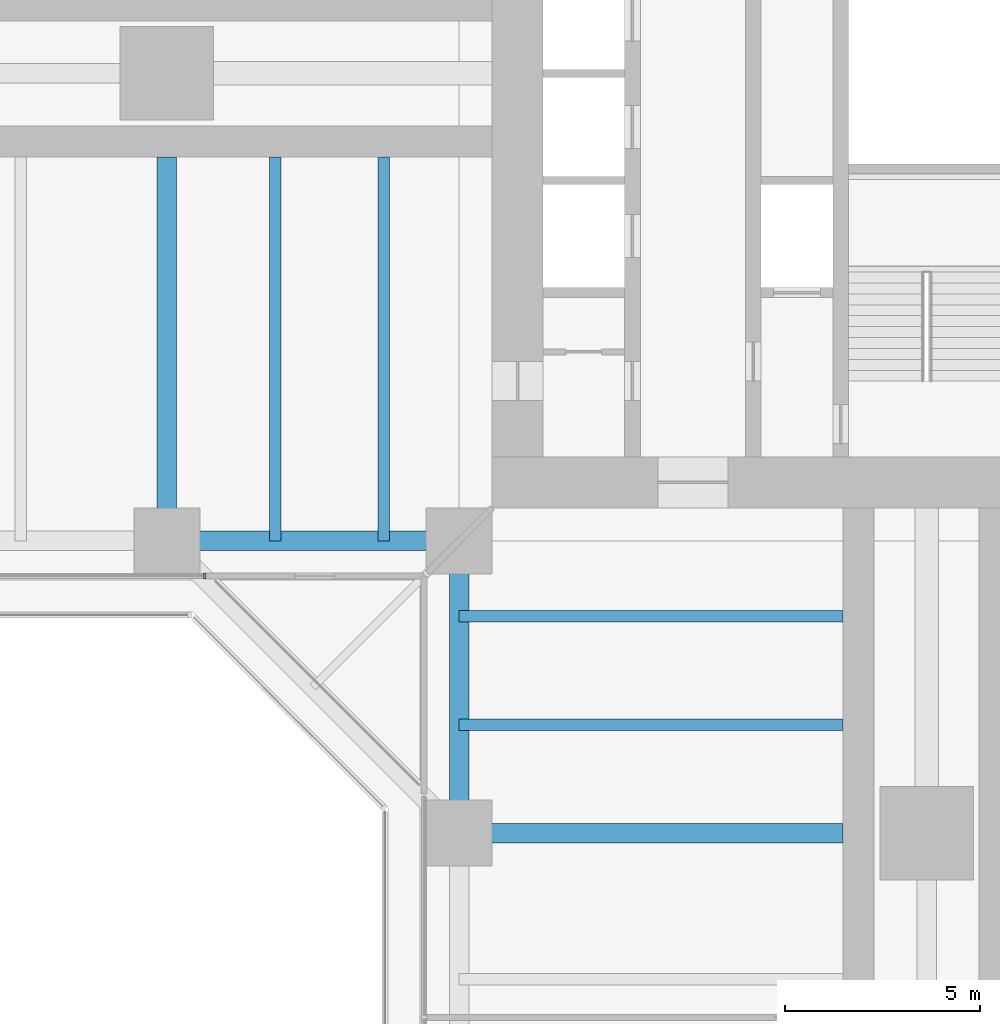
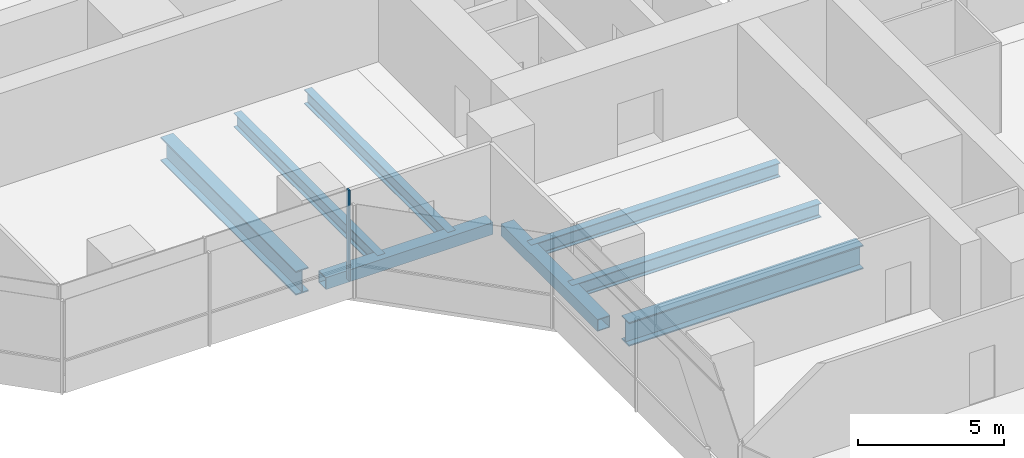
# One storey, part 4 of 22: 8 beams, 1 member, 1 element without a shape of its own.
"""IFC4 building model written with IfcOpenShell, lengths in metres."""

from ifc_helpers import new_model, si_unit, direction, frame, origin, origin_2d, place, context, subcontext, project, spatial, rectangle, hollow_rectangle, i_section, extrude, material, material_profile, profile_set, type_object, element, aggregate, save


model = new_model("IFC4")

# Units and contexts
model_context = context("Model", 3, precision=1e-05, world=origin(), true_north=direction((0.0, 1.0)))
body_context = subcontext(model_context, "Body", "Model", "MODEL_VIEW")
ifc_project = project(units=[si_unit("LENGTHUNIT", "METRE"), si_unit("AREAUNIT", "SQUARE_METRE"), si_unit("VOLUMEUNIT", "CUBIC_METRE"), si_unit("PLANEANGLEUNIT", "RADIAN"), si_unit("MASSUNIT", "GRAM", prefix="KILO")], contexts=[model_context])

# Site, building, storey
site_placement = place(None, origin())
site = spatial("IfcSite", under=ifc_project, at=site_placement, CompositionType="ELEMENT")
building_placement = place(site_placement, origin())
building = spatial("IfcBuilding", under=site, at=building_placement, Name="Mizan Broadcast Tower", CompositionType="ELEMENT")
storey_placement = place(building_placement, frame((0.0, 0.0, 78.60009765625)))
storey = spatial("IfcBuildingStorey", under=building, at=storey_placement, Name="L16", CompositionType="ELEMENT", Elevation=78.60009765625)

# Beams
ifc_material_1 = material(Name="Steel S355", Category="steel")
ifc_material_profile_1 = material_profile(ifc_material_1, hollow_rectangle(XDim=0.5, YDim=0.5, WallThickness=0.030029296875, at=origin_2d()), Name="BOX 500x500x30")
ifc_profile_set_1 = profile_set([ifc_material_profile_1], Name="Steel S355")
beam_type_1 = type_object("IfcBeamType", Name="EDGE BEAM BOX 500x500x30", PredefinedType="SPANDREL", material=ifc_profile_set_1)
for number, where, z_axis, x_axis, name in (
    (1, (-12.449951171875, -12.0, -0.380126953125), (-1.0, 0.0, 0.0), (0.0, -1.0, 0.0), "Edge beam BOX 500x500x30 L16 west arm"),
    (2, (-12.0, -12.449951171875, -0.380126953125), (0.0, -1.0, 0.0), (1.0, 0.0, 0.0), "Edge beam BOX 500x500x30 L16 south arm"),
):
    element("IfcBeam", number, at=place(storey_placement, frame(where, z_axis=z_axis, x_axis=x_axis)), inside=storey, type_object=beam_type_1, Name=name, PredefinedType="SPANDREL", context=body_context, shape_type="SweptSolid", body=[
        extrude(hollow_rectangle(XDim=0.5, YDim=0.5, WallThickness=0.030029296875, at=origin_2d()), origin(), (0.0, 0.0, 1.0), 6.60009765625),
    ])
ifc_material_2 = material(Name="Steel S460", Category="steel")
ifc_material_profile_2 = material_profile(ifc_material_2, i_section(OverallWidth=0.5, OverallDepth=1.0, WebThickness=0.02490234375, FlangeThickness=0.050048828125, at=origin_2d()), Name="WPG 1000x500")
ifc_profile_set_2 = profile_set([ifc_material_profile_2], Name="Steel S460")
beam_type_2 = type_object("IfcBeamType", Name="GIRDER WPG 1000x500", PredefinedType="BEAM", material=ifc_profile_set_2)
for number, where, z_axis, x_axis, name in (
    (3, (-19.5, -11.408935546875, -0.630126953125), (0.0, 1.0, 0.0), (-1.0, 0.0, 0.0), "Girder WPG 1000x500 L16 west arm"),
    (4, (-11.408935546875, -19.5, -0.630126953125), (1.0, 0.0, 0.0), (0.0, 1.0, 0.0), "Girder WPG 1000x500 L16 south arm"),
):
    element("IfcBeam", number, at=place(storey_placement, frame(where, z_axis=z_axis, x_axis=x_axis)), inside=storey, type_object=beam_type_2, Name=name, PredefinedType="BEAM", context=body_context, shape_type="SweptSolid", body=[
        extrude(i_section(OverallWidth=0.5, OverallDepth=1.0, WebThickness=0.02490234375, FlangeThickness=0.050048828125, at=origin_2d()), origin(), (0.0, 0.0, 1.0), 9.259033203125),
    ])

# Curtain wall, member
ifc_material_3 = material(Name="Aluminium framed glazing", Category="aluminium")
curtain_wall_type = type_object("IfcCurtainWallType", Name="INNER SKIN LOW ZONE", PredefinedType="USERDEFINED", material=ifc_material_3)
curtain_wall_placement = place(storey_placement, origin())
curtain_wall = element("IfcCurtainWall", 5, at=curtain_wall_placement, inside=storey, type_object=curtain_wall_type, Name="Inner skin low zone L16 W side", ObjectType="INNER SKIN LOW ZONE", PredefinedType="USERDEFINED")
ifc_material_4 = material(Name="Aluminium, pale anodised", Category="aluminium")
ifc_material_profile_3 = material_profile(ifc_material_4, rectangle(XDim=0.159912109375, YDim=0.06005859375, at=origin_2d()), Name="MULLION 160x60")
ifc_profile_set_3 = profile_set([ifc_material_profile_3], Name="Aluminium, pale anodised")
member_type = type_object("IfcMemberType", Name="INNER SKIN MULLION 60x160", PredefinedType="MULLION", material=ifc_profile_set_3)
member_placement = place(storey_placement, frame((-18.530029296875, -12.89990234375, 0.0), z_axis=(0.0, 0.0, 1.0), x_axis=(0.0, 1.0, 0.0)))
member = element("IfcMember", 6, at=member_placement, type_object=member_type, Name="Inner skin low zone L16 W side mullion 3", PredefinedType="MULLION", context=body_context, shape_type="SweptSolid", body=[
    extrude(rectangle(XDim=0.159912109375, YDim=0.06005859375, at=origin_2d()), origin(), (0.0, 0.0, 1.0), 3.77001953125),
])
aggregate(curtain_wall, [member])

# Beams
ifc_material_5 = material(Name="Steel S355", Category="steel")
ifc_material_profile_4 = material_profile(ifc_material_5, i_section(OverallWidth=0.300048828125, OverallDepth=0.590087890625, WebThickness=0.012939453125, FlangeThickness=0.02490234375, FilletRadius=0.027099609375, at=origin_2d()), Name="HEA 600")
ifc_profile_set_4 = profile_set([ifc_material_profile_4], Name="Steel S355")
beam_type_3 = type_object("IfcBeamType", Name="SECONDARY BEAM HEA 600", PredefinedType="JOIST", material=ifc_profile_set_4)
for number, where, z_axis, x_axis, name in (
    (7, (-13.933349609375, -12.0, -0.425048828125), (0.0, 1.0, 0.0), (-1.0, 0.0, 0.0), "Secondary beam HEA 600 L16 west arm"),
    (8, (-16.716552734375, -12.0, -0.425048828125), (0.0, 1.0, 0.0), (-1.0, 0.0, 0.0), "Secondary beam HEA 600 L16 west arm"),
    (9, (-12.0, -13.933349609375, -0.425048828125), (1.0, 0.0, 0.0), (0.0, 1.0, 0.0), "Secondary beam HEA 600 L16 south arm"),
    (10, (-12.0, -16.716552734375, -0.425048828125), (1.0, 0.0, 0.0), (0.0, 1.0, 0.0), "Secondary beam HEA 600 L16 south arm"),
):
    element("IfcBeam", number, at=place(storey_placement, frame(where, z_axis=z_axis, x_axis=x_axis)), inside=storey, type_object=beam_type_3, Name=name, PredefinedType="JOIST", context=body_context, shape_type="SweptSolid", body=[
        extrude(i_section(OverallWidth=0.300048828125, OverallDepth=0.590087890625, WebThickness=0.012939453125, FlangeThickness=0.02490234375, FilletRadius=0.027099609375, at=origin_2d()), origin(), (0.0, 0.0, 1.0), 9.85009765625),
    ])

save(model, "model.ifc")
